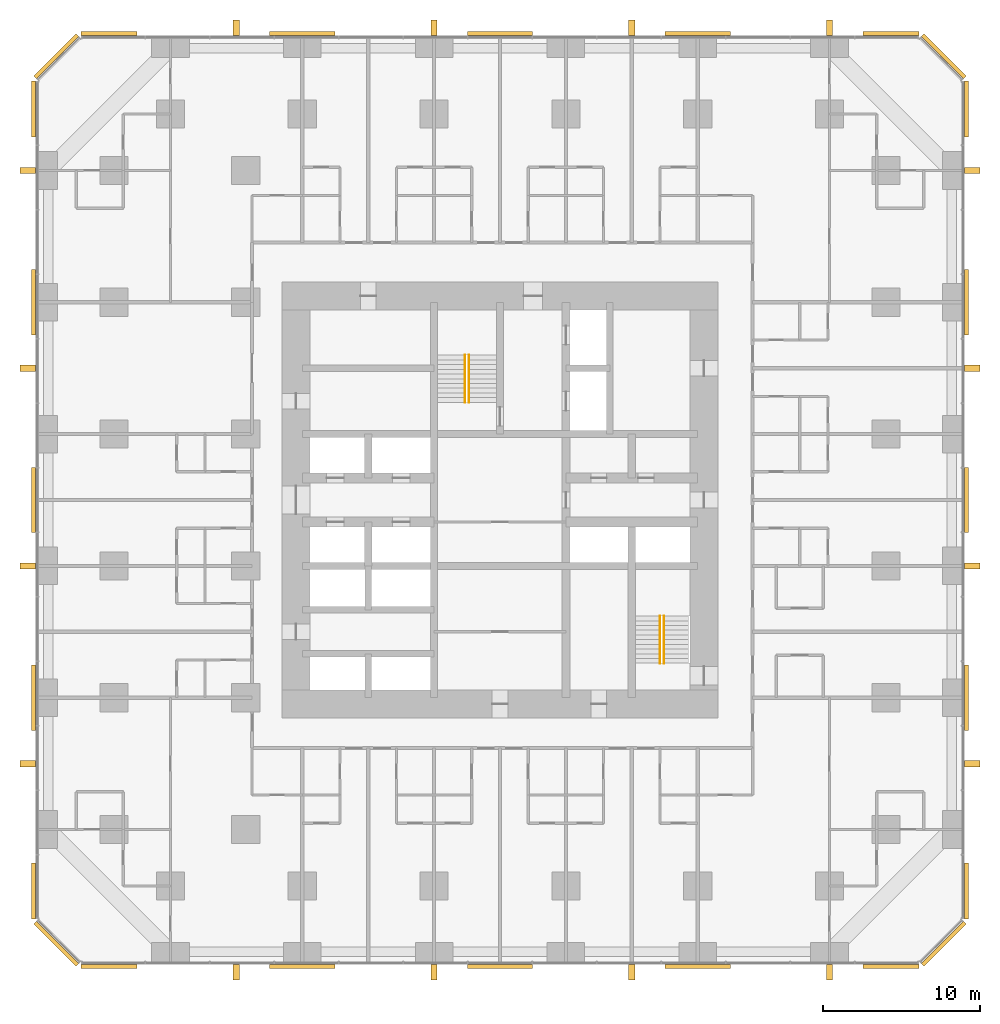
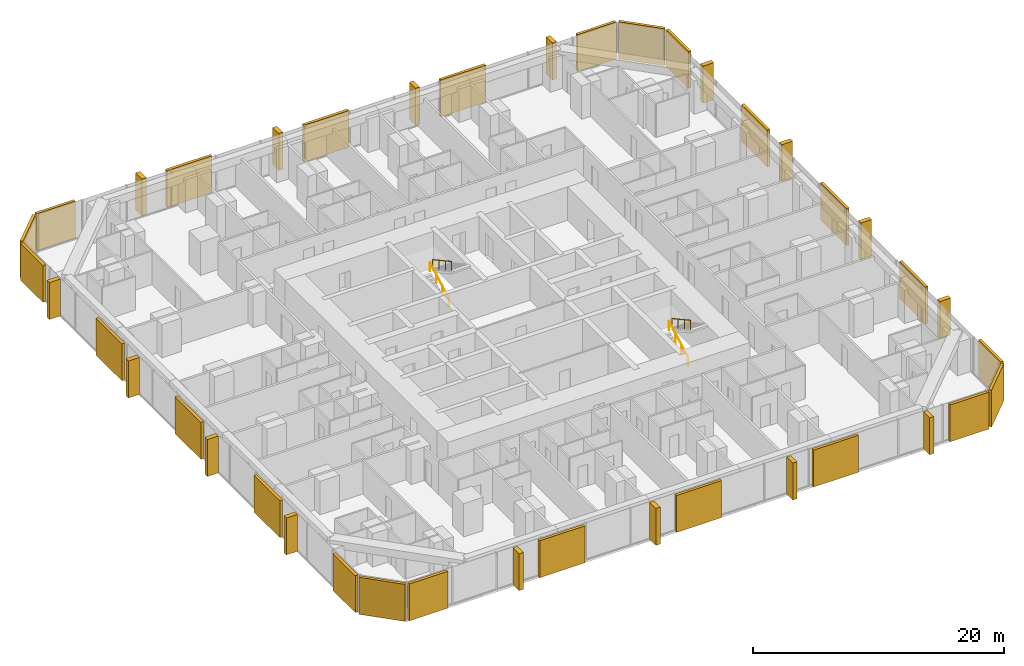
# One storey, part 18 of 18: 24 coverings, 16 shading devices, 4 railings.
"""IFC4 building model written with IfcOpenShell, lengths in metres."""

from ifc_helpers import new_model, si_unit, direction, frame, origin, origin_2d, place, context, subcontext, project, spatial, rectangle, circle, extrude, material, layer, layer_set, type_object, element, save


model = new_model("IFC4")

# Units and contexts
model_context = context("Model", 3, precision=1e-05, world=origin(), true_north=direction((0.0, 1.0)))
body_context = subcontext(model_context, "Body", "Model", "MODEL_VIEW")
ifc_project = project(units=[si_unit("LENGTHUNIT", "METRE"), si_unit("AREAUNIT", "SQUARE_METRE"), si_unit("VOLUMEUNIT", "CUBIC_METRE"), si_unit("PLANEANGLEUNIT", "RADIAN"), si_unit("MASSUNIT", "GRAM", prefix="KILO")], contexts=[model_context])

# Site, building, storey
site_placement = place(None, origin())
site = spatial("IfcSite", under=ifc_project, at=site_placement, CompositionType="ELEMENT")
building_placement = place(site_placement, origin())
building = spatial("IfcBuilding", under=site, at=building_placement, Name="Dunama Terrace Hotel", CompositionType="ELEMENT")
storey_placement = place(building_placement, frame((0.0, 0.0, 30.60009765625)))
storey = spatial("IfcBuildingStorey", under=building, at=storey_placement, Name="L06", CompositionType="ELEMENT", Elevation=30.60009765625)

# Railings
ifc_material_1 = material(Name="Stainless steel handrail", Category="steel")
railing_type = type_object("IfcRailingType", Name="Stair handrail 900", PredefinedType="HANDRAIL", material=ifc_material_1)
railing_1_placement = place(storey_placement, frame((27.175048828125, 35.625, 0.16357421875)))
element("IfcRailing", 1, at=railing_1_placement, inside=storey, type_object=railing_type, Name="Handrail ST1 L06", PredefinedType="HANDRAIL", context=body_context, shape_type="SweptSolid", body=[
    extrude(circle(Radius=0.02392578125, at=origin_2d()), frame((0.0, 0.0, 0.8759765625), z_axis=(0.0, 0.877911954615, 0.47882209634), x_axis=(-1.0, 0.0, 0.0)), (0.0, 0.0, 1.0), 3.417236328125),
    extrude(circle(Radius=0.02099609375, at=origin_2d()), origin(), (0.0, 0.0, 1.0), 0.851806640625),
    extrude(circle(Radius=0.02099609375, at=origin_2d()), frame((0.0, 1.0, 0.54541015625)), (0.0, 0.0, 1.0), 0.851806640625),
    extrude(circle(Radius=0.02099609375, at=origin_2d()), frame((0.0, 2.0, 1.0908203125)), (0.0, 0.0, 1.0), 0.851806640625),
    extrude(circle(Radius=0.02099609375, at=origin_2d()), frame((0.0, 3.0, 1.63623046875)), (0.0, 0.0, 1.0), 0.851806640625),
])
railing_2_placement = place(storey_placement, frame((27.425048828125, 38.625, 1.963623046875)))
element("IfcRailing", 2, at=railing_2_placement, inside=storey, type_object=railing_type, Name="Handrail ST1 L06", PredefinedType="HANDRAIL", context=body_context, shape_type="SweptSolid", body=[
    extrude(circle(Radius=0.02392578125, at=origin_2d()), frame((0.0, 0.0, 0.8759765625), z_axis=(0.0, -0.877911954615, 0.47882209634), x_axis=(1.0, 0.0, 0.0)), (0.0, 0.0, 1.0), 3.417236328125),
    extrude(circle(Radius=0.02099609375, at=origin_2d()), origin(), (0.0, 0.0, 1.0), 0.851806640625),
    extrude(circle(Radius=0.02099609375, at=origin_2d()), frame((0.0, -1.0, 0.54541015625)), (0.0, 0.0, 1.0), 0.851806640625),
    extrude(circle(Radius=0.02099609375, at=origin_2d()), frame((0.0, -2.0, 1.0908203125)), (0.0, 0.0, 1.0), 0.851806640625),
    extrude(circle(Radius=0.02099609375, at=origin_2d()), frame((0.0, -3.0, 1.63623046875)), (0.0, 0.0, 1.0), 0.851806640625),
])
railing_3_placement = place(storey_placement, frame((39.60009765625, 19.0, 0.16357421875)))
element("IfcRailing", 3, at=railing_3_placement, inside=storey, type_object=railing_type, Name="Handrail ST2 L06", PredefinedType="HANDRAIL", context=body_context, shape_type="SweptSolid", body=[
    extrude(circle(Radius=0.02392578125, at=origin_2d()), frame((0.0, 0.0, 0.8759765625), z_axis=(0.0, 0.877911954615, 0.47882209634), x_axis=(-1.0, 0.0, 0.0)), (0.0, 0.0, 1.0), 3.417236328125),
    extrude(circle(Radius=0.02099609375, at=origin_2d()), origin(), (0.0, 0.0, 1.0), 0.851806640625),
    extrude(circle(Radius=0.02099609375, at=origin_2d()), frame((0.0, 1.0, 0.54541015625)), (0.0, 0.0, 1.0), 0.851806640625),
    extrude(circle(Radius=0.02099609375, at=origin_2d()), frame((0.0, 2.0, 1.0908203125)), (0.0, 0.0, 1.0), 0.851806640625),
    extrude(circle(Radius=0.02099609375, at=origin_2d()), frame((0.0, 3.0, 1.63623046875)), (0.0, 0.0, 1.0), 0.851806640625),
])
railing_4_placement = place(storey_placement, frame((39.85009765625, 22.0, 1.963623046875)))
element("IfcRailing", 4, at=railing_4_placement, inside=storey, type_object=railing_type, Name="Handrail ST2 L06", PredefinedType="HANDRAIL", context=body_context, shape_type="SweptSolid", body=[
    extrude(circle(Radius=0.02392578125, at=origin_2d()), frame((0.0, 0.0, 0.8759765625), z_axis=(0.0, -0.877911954615, 0.47882209634), x_axis=(1.0, 0.0, 0.0)), (0.0, 0.0, 1.0), 3.417236328125),
    extrude(circle(Radius=0.02099609375, at=origin_2d()), origin(), (0.0, 0.0, 1.0), 0.851806640625),
    extrude(circle(Radius=0.02099609375, at=origin_2d()), frame((0.0, -1.0, 0.54541015625)), (0.0, 0.0, 1.0), 0.851806640625),
    extrude(circle(Radius=0.02099609375, at=origin_2d()), frame((0.0, -2.0, 1.0908203125)), (0.0, 0.0, 1.0), 0.851806640625),
    extrude(circle(Radius=0.02099609375, at=origin_2d()), frame((0.0, -3.0, 1.63623046875)), (0.0, 0.0, 1.0), 0.851806640625),
])

# Coverings
ifc_material_2 = material(Name="Warm reconstituted stone panel", Category="masonry")
ifc_layer_1 = layer(ifc_material_2, 0.25)
ifc_layer_set_1 = layer_set([ifc_layer_1], Name="Stone diagonal panel")
covering_type = type_object("IfcCoveringType", Name="Stone diagonal panel", PredefinedType="CLADDING", material=ifc_layer_set_1)
covering_1_placement = place(storey_placement, frame((4.489990234375, -0.322998046875, 0.001953125), z_axis=(0.0, 0.0, 1.0), x_axis=(1.0, 0.0, 0.0)))
element("IfcCovering", 5, at=covering_1_placement, inside=storey, type_object=covering_type, Name="Stone diagonal panel L06", PredefinedType="CLADDING", context=body_context, shape_type="SweptSolid", body=[
    extrude(rectangle(XDim=3.570068359375, YDim=0.25, at=origin_2d()), origin(), (0.0, 0.0, 1.0), 3.595947265625),
])
for number, where, z_axis, x_axis, name in (
    (6, (16.800048828125, -0.322998046875, 0.001953125), (0.0, 0.0, 1.0), (1.0, 0.0, 0.0), "Stone diagonal panel L06"),
    (7, (29.39990234375, -0.322998046875, 0.001953125), (0.0, 0.0, 1.0), (1.0, 0.0, 0.0), "Stone diagonal panel L06"),
    (8, (42.0, -0.322998046875, 0.001953125), (0.0, 0.0, 1.0), (1.0, 0.0, 0.0), "Stone diagonal panel L06"),
):
    element("IfcCovering", number, at=place(storey_placement, frame(where, z_axis=z_axis, x_axis=x_axis)), inside=storey, type_object=covering_type, Name=name, PredefinedType="CLADDING", context=body_context, shape_type="SweptSolid", body=[
        extrude(rectangle(XDim=4.14990234375, YDim=0.25, at=origin_2d()), origin(), (0.0, 0.0, 1.0), 3.595947265625),
    ])
covering_2_placement = place(storey_placement, frame((54.31005859375, -0.322998046875, 0.001953125), z_axis=(0.0, 0.0, 1.0), x_axis=(1.0, 0.0, 0.0)))
element("IfcCovering", 9, at=covering_2_placement, inside=storey, type_object=covering_type, Name="Stone diagonal panel L06", PredefinedType="CLADDING", context=body_context, shape_type="SweptSolid", body=[
    extrude(rectangle(XDim=3.570068359375, YDim=0.25, at=origin_2d()), origin(), (0.0, 0.0, 1.0), 3.595947265625),
])
covering_3_placement = place(storey_placement, frame((57.678955078125, 1.12109375, 0.001953125), z_axis=(0.0, 0.0, 1.0), x_axis=(0.707106781187, 0.707106781187, 0.0)))
element("IfcCovering", 10, at=covering_3_placement, inside=storey, type_object=covering_type, Name="Stone diagonal panel L06", PredefinedType="CLADDING", context=body_context, shape_type="SweptSolid", body=[
    extrude(rectangle(XDim=3.808349609375, YDim=0.25, at=origin_2d()), origin(), (0.0, 0.0, 1.0), 3.595947265625),
])
covering_4_placement = place(storey_placement, frame((59.123046875, 4.489990234375, 0.001953125), z_axis=(0.0, 0.0, 1.0), x_axis=(0.0, 1.0, 0.0)))
element("IfcCovering", 11, at=covering_4_placement, inside=storey, type_object=covering_type, Name="Stone diagonal panel L06", PredefinedType="CLADDING", context=body_context, shape_type="SweptSolid", body=[
    extrude(rectangle(XDim=3.570068359375, YDim=0.25, at=origin_2d()), origin(), (0.0, 0.0, 1.0), 3.595947265625),
])
for number, where, z_axis, x_axis, name in (
    (12, (59.123046875, 16.800048828125, 0.001953125), (0.0, 0.0, 1.0), (0.0, 1.0, 0.0), "Stone diagonal panel L06"),
    (13, (59.123046875, 29.39990234375, 0.001953125), (0.0, 0.0, 1.0), (0.0, 1.0, 0.0), "Stone diagonal panel L06"),
    (14, (59.123046875, 42.0, 0.001953125), (0.0, 0.0, 1.0), (0.0, 1.0, 0.0), "Stone diagonal panel L06"),
):
    element("IfcCovering", number, at=place(storey_placement, frame(where, z_axis=z_axis, x_axis=x_axis)), inside=storey, type_object=covering_type, Name=name, PredefinedType="CLADDING", context=body_context, shape_type="SweptSolid", body=[
        extrude(rectangle(XDim=4.14990234375, YDim=0.25, at=origin_2d()), origin(), (0.0, 0.0, 1.0), 3.595947265625),
    ])
covering_5_placement = place(storey_placement, frame((59.123046875, 54.31005859375, 0.001953125), z_axis=(0.0, 0.0, 1.0), x_axis=(0.0, 1.0, 0.0)))
element("IfcCovering", 15, at=covering_5_placement, inside=storey, type_object=covering_type, Name="Stone diagonal panel L06", PredefinedType="CLADDING", context=body_context, shape_type="SweptSolid", body=[
    extrude(rectangle(XDim=3.570068359375, YDim=0.25, at=origin_2d()), origin(), (0.0, 0.0, 1.0), 3.595947265625),
])
covering_6_placement = place(storey_placement, frame((57.678955078125, 57.678955078125, 0.001953125), z_axis=(0.0, 0.0, 1.0), x_axis=(-0.707106781187, 0.707106781187, 0.0)))
element("IfcCovering", 16, at=covering_6_placement, inside=storey, type_object=covering_type, Name="Stone diagonal panel L06", PredefinedType="CLADDING", context=body_context, shape_type="SweptSolid", body=[
    extrude(rectangle(XDim=3.808349609375, YDim=0.25, at=origin_2d()), origin(), (0.0, 0.0, 1.0), 3.595947265625),
])
covering_7_placement = place(storey_placement, frame((54.31005859375, 59.123046875, 0.001953125), z_axis=(0.0, 0.0, 1.0), x_axis=(-1.0, 0.0, 0.0)))
element("IfcCovering", 17, at=covering_7_placement, inside=storey, type_object=covering_type, Name="Stone diagonal panel L06", PredefinedType="CLADDING", context=body_context, shape_type="SweptSolid", body=[
    extrude(rectangle(XDim=3.570068359375, YDim=0.25, at=origin_2d()), origin(), (0.0, 0.0, 1.0), 3.595947265625),
])
for number, where, z_axis, x_axis, name in (
    (18, (42.0, 59.123046875, 0.001953125), (0.0, 0.0, 1.0), (-1.0, 0.0, 0.0), "Stone diagonal panel L06"),
    (19, (29.39990234375, 59.123046875, 0.001953125), (0.0, 0.0, 1.0), (-1.0, 0.0, 0.0), "Stone diagonal panel L06"),
    (20, (16.800048828125, 59.123046875, 0.001953125), (0.0, 0.0, 1.0), (-1.0, 0.0, 0.0), "Stone diagonal panel L06"),
):
    element("IfcCovering", number, at=place(storey_placement, frame(where, z_axis=z_axis, x_axis=x_axis)), inside=storey, type_object=covering_type, Name=name, PredefinedType="CLADDING", context=body_context, shape_type="SweptSolid", body=[
        extrude(rectangle(XDim=4.14990234375, YDim=0.25, at=origin_2d()), origin(), (0.0, 0.0, 1.0), 3.595947265625),
    ])
covering_8_placement = place(storey_placement, frame((4.489990234375, 59.123046875, 0.001953125), z_axis=(0.0, 0.0, 1.0), x_axis=(-1.0, 0.0, 0.0)))
element("IfcCovering", 21, at=covering_8_placement, inside=storey, type_object=covering_type, Name="Stone diagonal panel L06", PredefinedType="CLADDING", context=body_context, shape_type="SweptSolid", body=[
    extrude(rectangle(XDim=3.570068359375, YDim=0.25, at=origin_2d()), origin(), (0.0, 0.0, 1.0), 3.595947265625),
])
covering_9_placement = place(storey_placement, frame((1.12109375, 57.678955078125, 0.001953125), z_axis=(0.0, 0.0, 1.0), x_axis=(-0.707106781187, -0.707106781187, 0.0)))
element("IfcCovering", 22, at=covering_9_placement, inside=storey, type_object=covering_type, Name="Stone diagonal panel L06", PredefinedType="CLADDING", context=body_context, shape_type="SweptSolid", body=[
    extrude(rectangle(XDim=3.808349609375, YDim=0.25, at=origin_2d()), origin(), (0.0, 0.0, 1.0), 3.595947265625),
])
covering_10_placement = place(storey_placement, frame((-0.322998046875, 54.31005859375, 0.001953125), z_axis=(0.0, 0.0, 1.0), x_axis=(0.0, -1.0, 0.0)))
element("IfcCovering", 23, at=covering_10_placement, inside=storey, type_object=covering_type, Name="Stone diagonal panel L06", PredefinedType="CLADDING", context=body_context, shape_type="SweptSolid", body=[
    extrude(rectangle(XDim=3.570068359375, YDim=0.25, at=origin_2d()), origin(), (0.0, 0.0, 1.0), 3.595947265625),
])
for number, where, z_axis, x_axis, name in (
    (24, (-0.322998046875, 42.0, 0.001953125), (0.0, 0.0, 1.0), (0.0, -1.0, 0.0), "Stone diagonal panel L06"),
    (25, (-0.322998046875, 29.39990234375, 0.001953125), (0.0, 0.0, 1.0), (0.0, -1.0, 0.0), "Stone diagonal panel L06"),
    (26, (-0.322998046875, 16.800048828125, 0.001953125), (0.0, 0.0, 1.0), (0.0, -1.0, 0.0), "Stone diagonal panel L06"),
):
    element("IfcCovering", number, at=place(storey_placement, frame(where, z_axis=z_axis, x_axis=x_axis)), inside=storey, type_object=covering_type, Name=name, PredefinedType="CLADDING", context=body_context, shape_type="SweptSolid", body=[
        extrude(rectangle(XDim=4.14990234375, YDim=0.25, at=origin_2d()), origin(), (0.0, 0.0, 1.0), 3.595947265625),
    ])
covering_11_placement = place(storey_placement, frame((-0.322998046875, 4.489990234375, 0.001953125), z_axis=(0.0, 0.0, 1.0), x_axis=(0.0, -1.0, 0.0)))
element("IfcCovering", 27, at=covering_11_placement, inside=storey, type_object=covering_type, Name="Stone diagonal panel L06", PredefinedType="CLADDING", context=body_context, shape_type="SweptSolid", body=[
    extrude(rectangle(XDim=3.570068359375, YDim=0.25, at=origin_2d()), origin(), (0.0, 0.0, 1.0), 3.595947265625),
])
covering_12_placement = place(storey_placement, frame((1.12109375, 1.12109375, 0.001953125), z_axis=(0.0, 0.0, 1.0), x_axis=(0.707106781187, -0.707106781187, 0.0)))
element("IfcCovering", 28, at=covering_12_placement, inside=storey, type_object=covering_type, Name="Stone diagonal panel L06", PredefinedType="CLADDING", context=body_context, shape_type="SweptSolid", body=[
    extrude(rectangle(XDim=3.808349609375, YDim=0.25, at=origin_2d()), origin(), (0.0, 0.0, 1.0), 3.595947265625),
])

# Shading devices
ifc_material_3 = material(Name="Warm reconstituted stone fin", Category="masonry")
ifc_layer_2 = layer(ifc_material_3, 0.39990234375)
ifc_layer_set_2 = layer_set([ifc_layer_2], Name="Warm stone fin 400x1000")
shading_device_type = type_object("IfcShadingDeviceType", Name="Warm stone fin 400x1000", PredefinedType="USERDEFINED", material=ifc_layer_set_2)
for number, where, z_axis, x_axis, name in (
    (29, (12.60009765625, -0.68798828125, -0.000244140625), (0.0, 0.0, 1.0), (1.0, 0.0, 0.0), "Stone fin"),
    (30, (25.199951171875, -0.68798828125, -0.000244140625), (0.0, 0.0, 1.0), (1.0, 0.0, 0.0), "Stone fin"),
    (31, (37.800048828125, -0.68798828125, -0.000244140625), (0.0, 0.0, 1.0), (1.0, 0.0, 0.0), "Stone fin"),
    (32, (50.39990234375, -0.68798828125, -0.000244140625), (0.0, 0.0, 1.0), (1.0, 0.0, 0.0), "Stone fin"),
    (33, (59.488037109375, 12.60009765625, -0.000244140625), (0.0, 0.0, 1.0), (0.0, 1.0, 0.0), "Stone fin"),
    (34, (59.488037109375, 25.199951171875, -0.000244140625), (0.0, 0.0, 1.0), (0.0, 1.0, 0.0), "Stone fin"),
    (35, (59.488037109375, 37.800048828125, -0.000244140625), (0.0, 0.0, 1.0), (0.0, 1.0, 0.0), "Stone fin"),
    (36, (59.488037109375, 50.39990234375, -0.000244140625), (0.0, 0.0, 1.0), (0.0, 1.0, 0.0), "Stone fin"),
    (37, (50.39990234375, 59.488037109375, -0.000244140625), (0.0, 0.0, 1.0), (-1.0, 0.0, 0.0), "Stone fin"),
    (38, (37.800048828125, 59.488037109375, -0.000244140625), (0.0, 0.0, 1.0), (-1.0, 0.0, 0.0), "Stone fin"),
    (39, (25.199951171875, 59.488037109375, -0.000244140625), (0.0, 0.0, 1.0), (-1.0, 0.0, 0.0), "Stone fin"),
    (40, (12.60009765625, 59.488037109375, -0.000244140625), (0.0, 0.0, 1.0), (-1.0, 0.0, 0.0), "Stone fin"),
    (41, (-0.68798828125, 50.39990234375, -0.000244140625), (0.0, 0.0, 1.0), (0.0, -1.0, 0.0), "Stone fin"),
    (42, (-0.68798828125, 37.800048828125, -0.000244140625), (0.0, 0.0, 1.0), (0.0, -1.0, 0.0), "Stone fin"),
    (43, (-0.68798828125, 25.199951171875, -0.000244140625), (0.0, 0.0, 1.0), (0.0, -1.0, 0.0), "Stone fin"),
    (44, (-0.68798828125, 12.60009765625, -0.000244140625), (0.0, 0.0, 1.0), (0.0, -1.0, 0.0), "Stone fin"),
):
    element("IfcShadingDevice", number, at=place(storey_placement, frame(where, z_axis=z_axis, x_axis=x_axis)), inside=storey, type_object=shading_device_type, Name=name, ObjectType="FIN", PredefinedType="USERDEFINED", context=body_context, shape_type="SweptSolid", body=[
        extrude(rectangle(XDim=0.39990234375, YDim=1.0, at=origin_2d()), origin(), (0.0, 0.0, 1.0), 3.60009765625),
    ])

save(model, "model.ifc")
